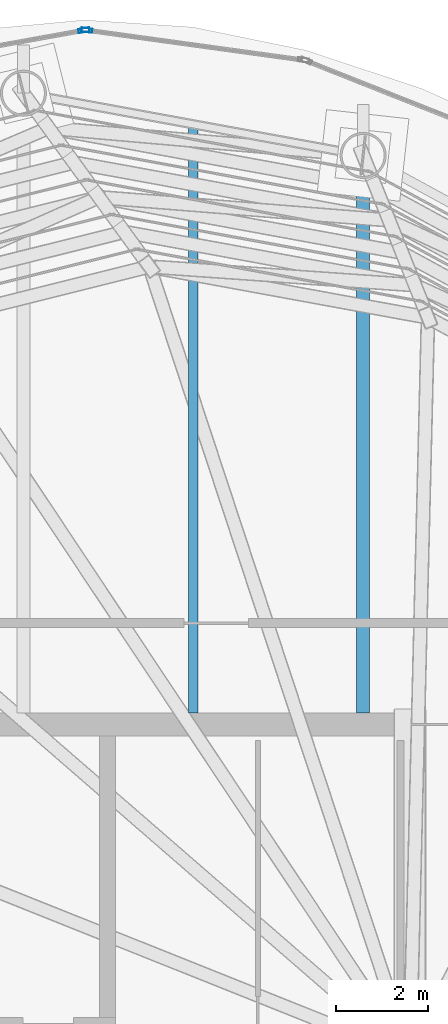
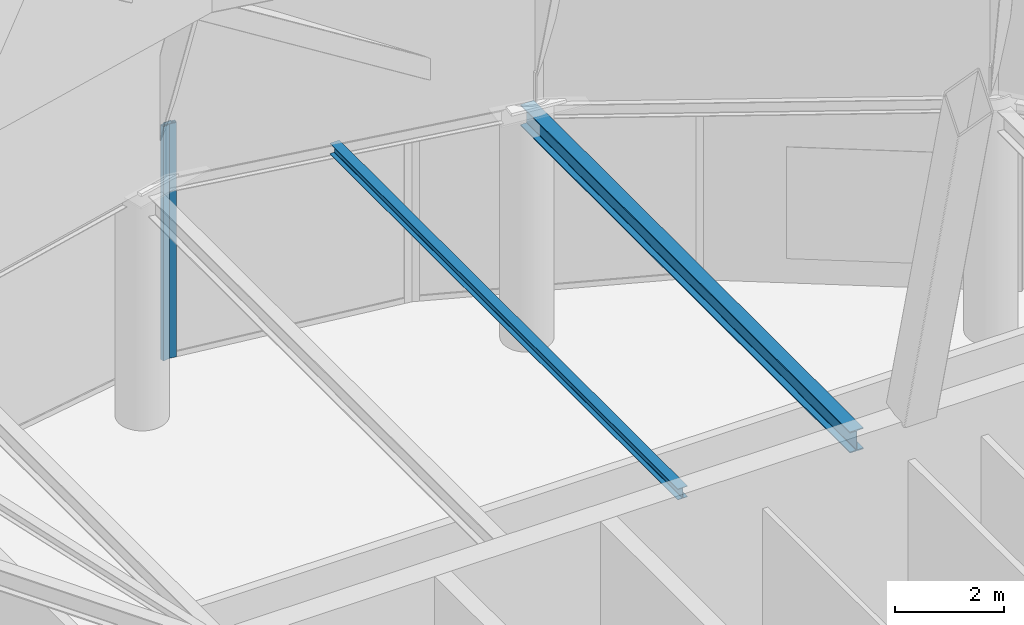
# One storey, part 30 of 40: 2 beams, 2 members, 2 elements without a shape of their own.
"""IFC4 building model written with IfcOpenShell, lengths in metres."""

import ifcopenshell
import ifcopenshell.guid

model = None  # the IFC model being written
_history = None  # IfcOwnerHistory: only IFC2X3 demands one
_inside = {}  # id of a spatial element -> (the spatial element, [elements in it])
_under = {}  # id of a project, library or spatial element -> (it, [spatial elements below it])
_declared = {}  # id of a project -> (the project, [libraries it declares])
_typed = {}  # id of a type object -> (the type object, [elements of that type])
_made_of = {}  # id of a material, layer set ... -> (it, [elements and type objects made of it])


def new_model(schema):
    """Start an empty IFC model of exactly this schema.

    Asked for "IFC4X3", IfcOpenShell would pick the latest addendum, in which some entities
    have other attributes; the version numbers below select the first issue.
    IFC2X3 requires an IfcOwnerHistory on every rooted entity: one is made here for all.
    """
    global model, _history
    if schema == "IFC4X3":
        model = ifcopenshell.file(schema_version=(4, 3, 0, 0))
    else:
        model = ifcopenshell.file(schema=schema)
    _inside.clear()
    _under.clear()
    _declared.clear()
    _typed.clear()
    _made_of.clear()
    _history = None
    if model.schema == "IFC2X3":
        org = make("IfcOrganization", Name="unknown")
        user = make(
            "IfcPersonAndOrganization",
            ThePerson=make("IfcPerson", FamilyName="unknown"),
            TheOrganization=org,
        )
        app = make(
            "IfcApplication",
            ApplicationDeveloper=org,
            Version="unknown",
            ApplicationFullName="unknown",
            ApplicationIdentifier="unknown",
        )
        _history = make(
            "IfcOwnerHistory",
            OwningUser=user,
            OwningApplication=app,
            ChangeAction="ADDED",
            CreationDate=0,
        )
    return model


def make(cls, **values):
    """One entity of the class cls with the attributes given. An attribute that is None is left unset."""
    return model.create_entity(
        cls, **{name: value for name, value in values.items() if value is not None}
    )


def rooted(cls, **values):
    """An entity with a GlobalId (a new one), such as an element, a storey or a relation."""
    return make(cls, GlobalId=ifcopenshell.guid.new(), OwnerHistory=_history, **values)


def si_unit(unit_type, name, prefix=None):
    """IfcSIUnit, for example si_unit("LENGTHUNIT", "METRE", prefix="MILLI")."""
    return make("IfcSIUnit", UnitType=unit_type, Prefix=prefix, Name=name)


def assignment(units):
    """IfcUnitAssignment: the units of a project."""
    return None if units is None else make("IfcUnitAssignment", Units=units)


def point(xyz):
    """IfcCartesianPoint."""
    return None if xyz is None else make("IfcCartesianPoint", Coordinates=xyz)


def direction(xyz):
    """IfcDirection."""
    return None if xyz is None else make("IfcDirection", DirectionRatios=xyz)


def frame(location, z_axis=None, x_axis=None):
    """IfcAxis2Placement3D, a coordinate frame: its origin and axes. An axis left out is left unset."""
    return make(
        "IfcAxis2Placement3D",
        Location=point(location),
        Axis=direction(z_axis),
        RefDirection=direction(x_axis),
    )


def frame_2d(location, x_axis=None):
    """IfcAxis2Placement2D, a coordinate frame in the plane: its origin and x axis."""
    return make(
        "IfcAxis2Placement2D", Location=point(location), RefDirection=direction(x_axis)
    )


def origin():
    """The frame at (0, 0, 0) with its axes left unset."""
    return frame((0.0, 0.0, 0.0))


def origin_2d():
    """The frame at (0, 0) in the plane with its x axis left unset."""
    return frame_2d((0.0, 0.0))


def place(relative_to, where):
    """IfcLocalPlacement: puts the frame where relative to a parent placement (None: the world)."""
    return make(
        "IfcLocalPlacement", PlacementRelTo=relative_to, RelativePlacement=where
    )


def context(
    kind, dimensions, precision=None, world=None, true_north=None, identifier=None
):
    """IfcGeometricRepresentationContext, for example the 3D "Model" context."""
    return make(
        "IfcGeometricRepresentationContext",
        ContextIdentifier=identifier,
        ContextType=kind,
        CoordinateSpaceDimension=dimensions,
        Precision=precision,
        WorldCoordinateSystem=world,
        TrueNorth=true_north,
    )


def subcontext(parent, identifier, kind, view, scale=None):
    """IfcGeometricRepresentationSubContext, for example "Body" below "Model"."""
    return make(
        "IfcGeometricRepresentationSubContext",
        ContextIdentifier=identifier,
        ContextType=kind,
        ParentContext=parent,
        TargetScale=scale,
        TargetView=view,
    )


def project(units=None, contexts=None):
    """IfcProject with its units and contexts."""
    return rooted(
        "IfcProject",
        Name="project",
        RepresentationContexts=contexts,
        UnitsInContext=assignment(units),
    )


def spatial(cls, under=None, at=None, **own):
    """A site, building, storey or space (cls), placed at a placement, below another one or the project."""
    s = rooted(cls, ObjectPlacement=at, **own)
    if under is not None:
        _under.setdefault(under.id(), (under, []))[1].append(s)
    return s


def profile(cls, at=None, kind="AREA", **sizes):
    """A parametric profile (cls). Its sizes go by their IFC names, for example OverallWidth=200.0."""
    return make(cls, ProfileType=kind, Position=at, **sizes)


def hollow_rectangle(**sizes):
    """IfcRectangleHollowProfileDef."""
    return profile("IfcRectangleHollowProfileDef", **sizes)


def i_section(**sizes):
    """IfcIShapeProfileDef."""
    return profile("IfcIShapeProfileDef", **sizes)


def extrude(swept, where, along, depth):
    """IfcExtrudedAreaSolid: the profile swept, set in the frame where, extruded along a direction by depth."""
    return make(
        "IfcExtrudedAreaSolid",
        SweptArea=swept,
        Position=where,
        ExtrudedDirection=direction(along),
        Depth=depth,
    )


def shape(context_of_items, identifier, shape_type, items):
    """IfcShapeRepresentation: the items that make up one representation, for example the "Body"."""
    return make(
        "IfcShapeRepresentation",
        ContextOfItems=context_of_items,
        RepresentationIdentifier=identifier,
        RepresentationType=shape_type,
        Items=items,
    )


def material(Name=None, Category=None):
    """IfcMaterial."""
    return make("IfcMaterial", Name=Name, Category=Category)


def layer(
    of_material, thickness, ventilated=None, Name=None, Category=None, Priority=None
):
    """IfcMaterialLayer: one layer of a wall or slab, of a material (None: an air gap)."""
    return make(
        "IfcMaterialLayer",
        Material=of_material,
        LayerThickness=thickness,
        IsVentilated=ventilated,
        Name=Name,
        Category=Category,
        Priority=Priority,
    )


def layer_set(layers, Name=None):
    """IfcMaterialLayerSet."""
    return make("IfcMaterialLayerSet", MaterialLayers=layers, LayerSetName=Name)


def material_profile(
    of_material, cross_section, Name=None, Category=None, Priority=None
):
    """IfcMaterialProfile: a cross section and its material."""
    return make(
        "IfcMaterialProfile",
        Name=Name,
        Material=of_material,
        Profile=cross_section,
        Priority=Priority,
        Category=Category,
    )


def profile_set(profiles, Name=None, composite=None):
    """IfcMaterialProfileSet."""
    return make(
        "IfcMaterialProfileSet",
        Name=Name,
        MaterialProfiles=profiles,
        CompositeProfile=composite,
    )


def made_of(thing, what):
    """Note that an element or type object is made of a material, layer set ...; save() writes the relation."""
    if what is not None:
        _made_of.setdefault(what.id(), (what, []))[1].append(thing)
    return thing


def type_object(cls, material=None, **own):
    """A type object (cls), such as IfcWallType, which elements share."""
    return made_of(rooted(cls, **own), material)


def element(
    cls,
    number,
    at=None,
    inside=None,
    cuts=None,
    type_object=None,
    material=None,
    context=None,
    identifier="Body",
    shape_type=None,
    held_by="IfcProductDefinitionShape",
    body=None,
    shapes=None,
    **own,
):
    """One element of the class cls, such as IfcWall. Its Tag is "e" and its number.

    at: its placement. inside: the storey or other place that contains it. cuts: it is an
    opening in that element (IfcRelVoidsElement). A single representation is given by context,
    identifier, shape_type and body (its items); several are given by shapes. held_by: the class
    of the entity that holds the representations. save() writes the other relations.
    """
    e = rooted(cls, Tag="e%d" % number, ObjectPlacement=at, **own)
    if body is not None:
        shapes = [shape(context, identifier, shape_type, body)]
    if shapes is not None:
        e.Representation = make(held_by, Representations=shapes)
    if inside is not None:
        _inside.setdefault(inside.id(), (inside, []))[1].append(e)
    if cuts is not None:
        rooted(
            "IfcRelVoidsElement", RelatingBuildingElement=cuts, RelatedOpeningElement=e
        )
    if type_object is not None:
        _typed.setdefault(type_object.id(), (type_object, []))[1].append(e)
    return made_of(e, material)


def aggregate(whole, parts):
    """IfcRelAggregates: a whole, such as a stair, and the parts it consists of."""
    return rooted("IfcRelAggregates", RelatingObject=whole, RelatedObjects=parts)


def save(model, path):
    """Write the relations noted so far, then the file.

    IfcRelAggregates (storeys below a building ...), IfcRelContainedInSpatialStructure (elements
    in a storey), IfcRelDefinesByType, IfcRelAssociatesMaterial and IfcRelDeclares: one each for
    every whole, place, type object, material and project.
    """
    for whole, parts in _under.values():
        aggregate(whole, parts)
    for where, things in _inside.values():
        rooted(
            "IfcRelContainedInSpatialStructure",
            RelatedElements=things,
            RelatingStructure=where,
        )
    for kind, things in _typed.values():
        rooted("IfcRelDefinesByType", RelatedObjects=things, RelatingType=kind)
    for what, things in _made_of.values():
        rooted("IfcRelAssociatesMaterial", RelatedObjects=things, RelatingMaterial=what)
    for by, libraries in _declared.values():
        rooted("IfcRelDeclares", RelatingContext=by, RelatedDefinitions=libraries)
    model.write(path)


model = new_model("IFC4")

# Units and contexts
model_context = context("Model", 3, precision=1e-05, world=origin(), true_north=direction((0.0, 1.0)))
body_context = subcontext(model_context, "Body", "Model", "MODEL_VIEW")
ifc_project = project(units=[si_unit("LENGTHUNIT", "METRE"), si_unit("AREAUNIT", "SQUARE_METRE"), si_unit("VOLUMEUNIT", "CUBIC_METRE"), si_unit("PLANEANGLEUNIT", "RADIAN"), si_unit("MASSUNIT", "GRAM", prefix="KILO")], contexts=[model_context])

# Site, building, storey
site_placement = place(None, origin())
site = spatial("IfcSite", under=ifc_project, at=site_placement, CompositionType="ELEMENT")
building_placement = place(site_placement, origin())
building = spatial("IfcBuilding", under=site, at=building_placement, Name="Bramvorn Convention Spire", CompositionType="ELEMENT")
storey_placement = place(building_placement, frame((0.0, 0.0, 312.5)))
storey = spatial("IfcBuildingStorey", under=building, at=storey_placement, Name="L79", CompositionType="ELEMENT", Elevation=312.5)

# Beams
ifc_material_1 = material(Name="Steel CSA G40.21 Grade 350 (350W)", Category="steel")
ifc_material_profile_1 = material_profile(ifc_material_1, i_section(OverallWidth=0.201904296875, OverallDepth=0.2470703125, WebThickness=0.00732421875, FlangeThickness=0.010986328125, FilletRadius=0.011962890625, at=origin_2d()))
ifc_profile_set_1 = profile_set([ifc_material_profile_1], Name="Steel CSA G40.21 Grade 350 (350W) - W250X49")
beam_type_1 = type_object("IfcBeamType", Name="BM-W250X49", PredefinedType="JOIST", material=ifc_profile_set_1)
beam_1_placement = place(storey_placement, frame((36.498046875, 33.449951171875, 5.12646484375), z_axis=(0.0, 1.0, 0.0), x_axis=(-1.0, 0.0, 0.0)))
element("IfcBeam", 1, at=beam_1_placement, inside=storey, type_object=beam_type_1, Name="L79 composite floor joist 07", PredefinedType="JOIST", context=body_context, shape_type="SweptSolid", body=[
    extrude(i_section(OverallWidth=0.201904296875, OverallDepth=0.2470703125, WebThickness=0.00732421875, FlangeThickness=0.010986328125, FilletRadius=0.011962890625, at=origin_2d()), origin(), (0.0, 0.0, 1.0), 12.77587890625),
])
ifc_material_profile_2 = material_profile(ifc_material_1, i_section(OverallWidth=0.283935546875, OverallDepth=0.47607421875, WebThickness=0.014892578125, FlangeThickness=0.02392578125, FilletRadius=0.01806640625, at=origin_2d()))
ifc_profile_set_2 = profile_set([ifc_material_profile_2], Name="Steel CSA G40.21 Grade 350 (350W) - W460X158")
beam_type_2 = type_object("IfcBeamType", Name="BM-W460X158", PredefinedType="SPANDREL", material=ifc_profile_set_2)
beam_2_placement = place(storey_placement, frame((40.1845703125, 33.449951171875, 5.011962890625), z_axis=(0.0, 1.0, 0.0), x_axis=(-1.0, 0.0, 0.0)))
element("IfcBeam", 2, at=beam_2_placement, inside=storey, type_object=beam_type_2, Name="L79 radial floor girder MC07", PredefinedType="SPANDREL", context=body_context, shape_type="SweptSolid", body=[
    extrude(i_section(OverallWidth=0.283935546875, OverallDepth=0.47607421875, WebThickness=0.014892578125, FlangeThickness=0.02392578125, FilletRadius=0.01806640625, at=origin_2d()), origin(), (0.0, 0.0, 1.0), 12.100830078125),
])

# Curtain wall, member
ifc_material_2 = material(Name="Anodised Bronze Unitised Curtain Wall", Category="aluminium")
ifc_layer = layer(ifc_material_2, 0.199951171875)
ifc_layer_set = layer_set([ifc_layer], Name="Anodised Bronze Unitised Curtain Wall - CW-CROWN-SPIRE")
curtain_wall_type = type_object("IfcCurtainWallType", Name="CW-CROWN-SPIRE", PredefinedType="USERDEFINED", material=ifc_layer_set)
curtain_wall_1_placement = place(storey_placement, origin())
curtain_wall_1 = element("IfcCurtainWall", 3, at=curtain_wall_1_placement, inside=storey, type_object=curtain_wall_type, Name="L79 fritted glass curtain wall 11", ObjectType="UNITISED CURTAIN WALL", PredefinedType="USERDEFINED")
ifc_material_3 = material(Name="Anodised Bronze Aluminium 6063-T6", Category="aluminium")
ifc_material_profile_3 = material_profile(ifc_material_3, hollow_rectangle(XDim=0.090087890625, YDim=0.239990234375, WallThickness=0.00439453125, InnerFilletRadius=0.0009765625, OuterFilletRadius=0.00439453125, at=origin_2d()))
ifc_profile_set_3 = profile_set([ifc_material_profile_3], Name="Anodised Bronze Aluminium 6063-T6 - CWM90X240")
member_type = type_object("IfcMemberType", Name="CW-MUL-220", PredefinedType="MULLION", material=ifc_profile_set_3)
member_1_placement = place(storey_placement, frame((34.18701171875, 48.268798828125, 0.0), z_axis=(0.0, 0.0, 1.0), x_axis=(0.136635286872, 0.990621420312, 0.0)))
member_1 = element("IfcMember", 4, at=member_1_placement, type_object=member_type, Name="CW6 mullion 1", PredefinedType="MULLION", context=body_context, shape_type="SweptSolid", body=[
    extrude(hollow_rectangle(XDim=0.090087890625, YDim=0.239990234375, WallThickness=0.00439453125, InnerFilletRadius=0.0009765625, OuterFilletRadius=0.00439453125, at=origin_2d()), origin(), (0.0, 0.0, 1.0), 5.25),
])
aggregate(curtain_wall_1, [member_1])

curtain_wall_2_placement = place(storey_placement, origin())
curtain_wall_2 = element("IfcCurtainWall", 5, at=curtain_wall_2_placement, inside=storey, type_object=curtain_wall_type, Name="L79 fritted glass curtain wall 12", ObjectType="UNITISED CURTAIN WALL", PredefinedType="USERDEFINED")
member_2_placement = place(storey_placement, frame((34.127685546875, 48.267578125, 0.0), z_axis=(0.0, 0.0, 1.0), x_axis=(-0.17763345328, 0.984096720996, 0.0)))
member_2 = element("IfcMember", 6, at=member_2_placement, type_object=member_type, Name="CW6 mullion 2", PredefinedType="MULLION", context=body_context, shape_type="SweptSolid", body=[
    extrude(hollow_rectangle(XDim=0.090087890625, YDim=0.239990234375, WallThickness=0.00439453125, InnerFilletRadius=0.0009765625, OuterFilletRadius=0.00439453125, at=origin_2d()), origin(), (0.0, 0.0, 1.0), 5.25),
])
aggregate(curtain_wall_2, [member_2])

save(model, "model.ifc")
